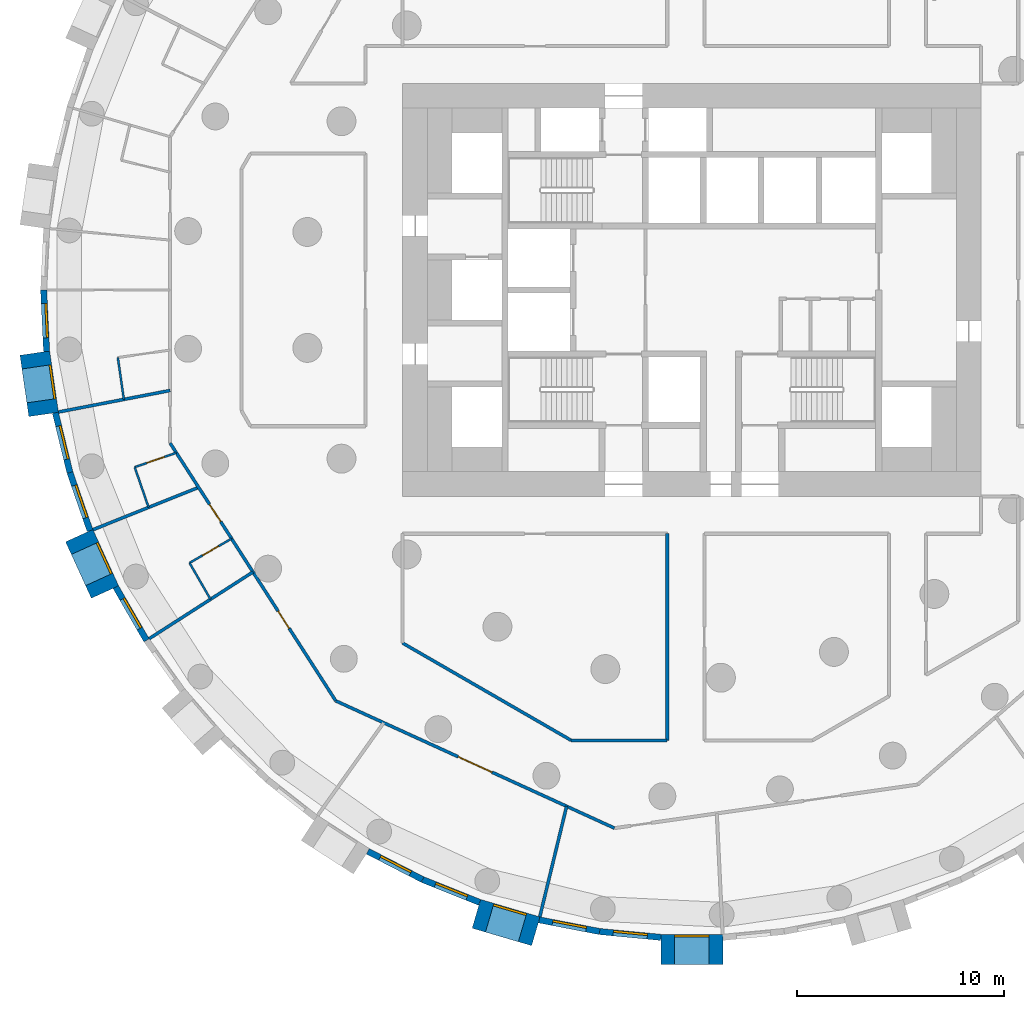
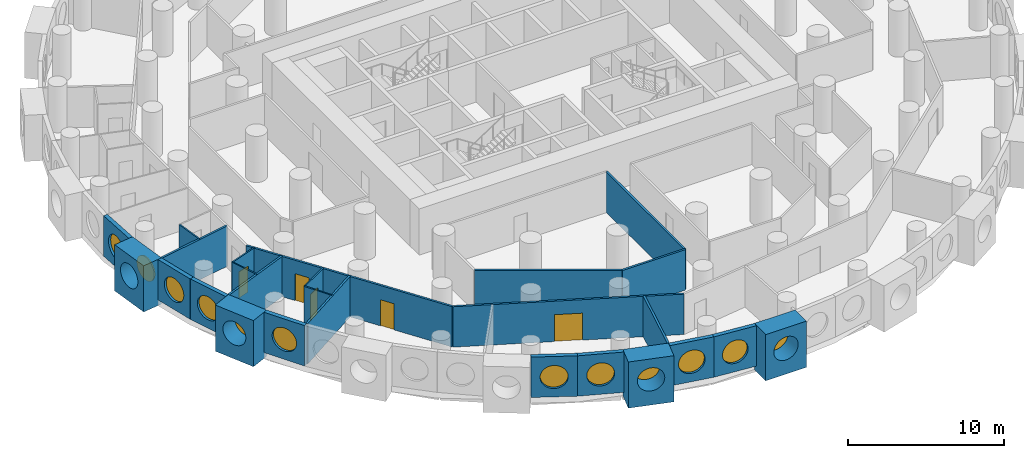
# One storey, part 3 of 12: 27 walls, 12 windows, 5 doors, 17 openings.
"""IFC4 building model written with IfcOpenShell, lengths in metres."""

from ifc_helpers import new_model, si_unit, direction, frame, frame_2d, origin, origin_2d, place, context, subcontext, project, spatial, rectangle, circle, extrude, material, layer, layer_set, type_object, element, fill, save


model = new_model("IFC4")

# Units and contexts
model_context = context("Model", 3, precision=1e-05, world=origin(), true_north=direction((0.0, 1.0)))
body_context = subcontext(model_context, "Body", "Model", "MODEL_VIEW")
ifc_project = project(units=[si_unit("LENGTHUNIT", "METRE"), si_unit("AREAUNIT", "SQUARE_METRE"), si_unit("VOLUMEUNIT", "CUBIC_METRE"), si_unit("PLANEANGLEUNIT", "RADIAN"), si_unit("MASSUNIT", "GRAM", prefix="KILO")], contexts=[model_context])

# Site, building, storey
site_placement = place(None, origin())
site = spatial("IfcSite", under=ifc_project, at=site_placement, CompositionType="ELEMENT")
building_placement = place(site_placement, origin())
building = spatial("IfcBuilding", under=site, at=building_placement, Name="Tracery Tower", CompositionType="ELEMENT")
storey_placement = place(building_placement, frame((0.0, 0.0, 107.39990234375)))
storey = spatial("IfcBuildingStorey", under=building, at=storey_placement, Name="L27", CompositionType="ELEMENT", Elevation=107.39990234375)

# Wall, opening, window
ifc_material_1 = material(Name="Precast concrete C50/60", Category="concrete")
ifc_layer_1 = layer(ifc_material_1, 1.449951171875)
ifc_layer_set_1 = layer_set([ifc_layer_1], Name="Deep-set bay unit 3000 x 3600, slab edge 450")
wall_type_1 = type_object("IfcWallType", Name="Deep-set bay unit 3000 x 3600, slab edge 450", PredefinedType="ELEMENTEDWALL", material=ifc_layer_set_1)
wall_1_placement = place(storey_placement, frame((-31.802490234375, -3.05712890625, -0.449951171875), z_axis=(0.0, 0.0, 1.0), x_axis=(0.142332746704, -0.989818866872, 0.0)))
wall_1 = element("IfcWall", 1, at=wall_1_placement, inside=storey, type_object=wall_type_1, Name="Deep-set bay unit 35 at L27", PredefinedType="ELEMENTEDWALL", context=body_context, shape_type="SweptSolid", body=[
    extrude(rectangle(XDim=3.0, YDim=1.449951171875, at=frame_2d((1.5, 0.0))), origin(), (0.0, 0.0, 1.0), 3.60009765625),
])
opening_1_placement = place(wall_1_placement, frame((1.5, 0.0, 2.0)))
opening_1 = element("IfcOpeningElement", 2, at=opening_1_placement, cuts=wall_1, Name="Opening WN1", PredefinedType="OPENING", context=body_context, shape_type="SweptSolid", body=[
    extrude(circle(Radius=0.9000244140625, at=origin_2d()), frame((0.0, 0.73486328125, 0.0), z_axis=(0.0, -1.0, 0.0), x_axis=(1.0, 0.0, 0.0)), (0.0, 0.0, 1.0), 1.469970703125),
])
ifc_material_2 = material(Name="Aluminium frame with tinted double glazing", Category="aluminium")
window_type = type_object("IfcWindowType", Name="Round window 1800", PartitioningType="SINGLE_PANEL", PredefinedType="WINDOW", material=ifc_material_2)
window_1_placement = place(opening_1_placement, origin())
window_1 = element("IfcWindow", 3, at=window_1_placement, inside=storey, type_object=window_type, Name="Round window 35 at L27", OverallHeight=1.800048828125, OverallWidth=1.800048828125, PartitioningType="SINGLE_PANEL", PredefinedType="WINDOW", context=body_context, shape_type="SweptSolid", body=[
    extrude(circle(Radius=0.9000244140625, at=origin_2d()), frame((0.0, 0.69482421875, 0.0), z_axis=(0.0, -1.0, 0.0), x_axis=(1.0, 0.0, 0.0)), (0.0, 0.0, 1.0), 0.10009765625),
])
fill(opening_1, window_1)

wall_2_placement = place(storey_placement, frame((-29.653076171875, -11.89306640625, -0.449951171875), z_axis=(0.0, 0.0, 1.0), x_axis=(0.415427028395, -0.909626508012, 0.0)))
wall_2 = element("IfcWall", 4, at=wall_2_placement, inside=storey, type_object=wall_type_1, Name="Deep-set bay unit 38 at L27", PredefinedType="ELEMENTEDWALL", context=body_context, shape_type="SweptSolid", body=[
    extrude(rectangle(XDim=3.000244140625, YDim=1.449951171875, at=frame_2d((1.5, 0.0))), origin(), (0.0, 0.0, 1.0), 3.60009765625),
])
opening_2_placement = place(wall_2_placement, frame((1.5, 0.0, 2.0)))
opening_2 = element("IfcOpeningElement", 5, at=opening_2_placement, cuts=wall_2, Name="Opening WN1", PredefinedType="OPENING", context=body_context, shape_type="SweptSolid", body=[
    extrude(circle(Radius=0.9000244140625, at=origin_2d()), frame((0.0, 0.73486328125, 0.0), z_axis=(0.0, -1.0, 0.0), x_axis=(1.0, 0.0, 0.0)), (0.0, 0.0, 1.0), 1.469970703125),
])
window_2_placement = place(opening_2_placement, origin())
window_2 = element("IfcWindow", 6, at=window_2_placement, inside=storey, type_object=window_type, Name="Round window 38 at L27", OverallHeight=1.800048828125, OverallWidth=1.800048828125, PartitioningType="SINGLE_PANEL", PredefinedType="WINDOW", context=body_context, shape_type="SweptSolid", body=[
    extrude(circle(Radius=0.9000244140625, at=origin_2d()), frame((0.0, 0.69482421875, 0.0), z_axis=(0.0, -1.0, 0.0), x_axis=(1.0, 0.0, 0.0)), (0.0, 0.0, 1.0), 0.10009765625),
])
fill(opening_2, window_2)

wall_3_placement = place(storey_placement, frame((-10.430419921875, -30.198486328125, -0.449951171875), z_axis=(0.0, 0.0, 1.0), x_axis=(0.959489813418, -0.281743319258, 0.0)))
wall_3 = element("IfcWall", 7, at=wall_3_placement, inside=storey, type_object=wall_type_1, Name="Deep-set bay unit 47 at L27", PredefinedType="ELEMENTEDWALL", context=body_context, shape_type="SweptSolid", body=[
    extrude(rectangle(XDim=3.0, YDim=1.449951171875, at=frame_2d((1.5, 0.0))), origin(), (0.0, 0.0, 1.0), 3.60009765625),
])
opening_3_placement = place(wall_3_placement, frame((1.5, 0.0, 2.0)))
opening_3 = element("IfcOpeningElement", 8, at=opening_3_placement, cuts=wall_3, Name="Opening WN1", PredefinedType="OPENING", context=body_context, shape_type="SweptSolid", body=[
    extrude(circle(Radius=0.9000244140625, at=origin_2d()), frame((0.0, 0.73486328125, 0.0), z_axis=(0.0, -1.0, 0.0), x_axis=(1.0, 0.0, 0.0)), (0.0, 0.0, 1.0), 1.469970703125),
])
window_3_placement = place(opening_3_placement, origin())
window_3 = element("IfcWindow", 9, at=window_3_placement, inside=storey, type_object=window_type, Name="Round window 47 at L27", OverallHeight=1.800048828125, OverallWidth=1.800048828125, PartitioningType="SINGLE_PANEL", PredefinedType="WINDOW", context=body_context, shape_type="SweptSolid", body=[
    extrude(circle(Radius=0.9000244140625, at=origin_2d()), frame((0.0, 0.69482421875, 0.0), z_axis=(0.0, -1.0, 0.0), x_axis=(1.0, 0.0, 0.0)), (0.0, 0.0, 1.0), 0.10009765625),
])
fill(opening_3, window_3)

wall_4_placement = place(storey_placement, frame((-1.5, -31.913818359375, -0.449951171875), z_axis=(0.0, 0.0, 1.0), x_axis=(1.0, 0.0, 0.0)))
wall_4 = element("IfcWall", 10, at=wall_4_placement, inside=storey, type_object=wall_type_1, Name="Deep-set bay unit 50 at L27", PredefinedType="ELEMENTEDWALL", context=body_context, shape_type="SweptSolid", body=[
    extrude(rectangle(XDim=3.0, YDim=1.449951171875, at=frame_2d((1.5, 0.0))), origin(), (0.0, 0.0, 1.0), 3.60009765625),
])
opening_4_placement = place(wall_4_placement, frame((1.5, 0.0, 2.0)))
opening_4 = element("IfcOpeningElement", 11, at=opening_4_placement, cuts=wall_4, Name="Opening WN1", PredefinedType="OPENING", context=body_context, shape_type="SweptSolid", body=[
    extrude(circle(Radius=0.9000244140625, at=origin_2d()), frame((0.0, 0.73486328125, 0.0), z_axis=(0.0, -1.0, 0.0), x_axis=(1.0, 0.0, 0.0)), (0.0, 0.0, 1.0), 1.469970703125),
])
window_4_placement = place(opening_4_placement, origin())
window_4 = element("IfcWindow", 12, at=window_4_placement, inside=storey, type_object=window_type, Name="Round window 50 at L27", OverallHeight=1.800048828125, OverallWidth=1.800048828125, PartitioningType="SINGLE_PANEL", PredefinedType="WINDOW", context=body_context, shape_type="SweptSolid", body=[
    extrude(circle(Radius=0.9000244140625, at=origin_2d()), frame((0.0, 0.69482421875, 0.0), z_axis=(0.0, -1.0, 0.0), x_axis=(1.0, 0.0, 0.0)), (0.0, 0.0, 1.0), 0.10009765625),
])
fill(opening_4, window_4)

ifc_material_3 = material(Name="Precast concrete C50/60", Category="concrete")
ifc_layer_2 = layer(ifc_material_3, 0.300048828125)
ifc_layer_set_2 = layer_set([ifc_layer_2], Name="Facade panel 3000 x 3150")
wall_type_2 = type_object("IfcWallType", Name="Facade panel 3000 x 3150", PredefinedType="SOLIDWALL", material=ifc_layer_set_2)
wall_5_placement = place(storey_placement, frame((-31.37451171875, 0.0, 0.0), z_axis=(0.0, 0.0, 1.0), x_axis=(0.047604077644, -0.998866283239, 0.0)))
wall_5 = element("IfcWall", 13, at=wall_5_placement, inside=storey, type_object=wall_type_2, Name="Facade panel 34 at L27", PredefinedType="SOLIDWALL", context=body_context, shape_type="SweptSolid", body=[
    extrude(rectangle(XDim=2.979736328125, YDim=0.300048828125, at=frame_2d((1.48974609375, 0.0))), origin(), (0.0, 0.0, 1.0), 3.150146484375),
])
opening_5_placement = place(wall_5_placement, frame((1.48974609375, 0.0, 1.5498046875)))
opening_5 = element("IfcOpeningElement", 14, at=opening_5_placement, cuts=wall_5, Name="Opening WN1", PredefinedType="OPENING", context=body_context, shape_type="SweptSolid", body=[
    extrude(circle(Radius=0.9000244140625, at=origin_2d()), frame((0.0, 0.159912109375, 0.0), z_axis=(0.0, -1.0, 0.0), x_axis=(1.0, 0.0, 0.0)), (0.0, 0.0, 1.0), 0.320068359375),
])
window_5_placement = place(opening_5_placement, origin())
window_5 = element("IfcWindow", 15, at=window_5_placement, inside=storey, type_object=window_type, Name="Round window 34 at L27", OverallHeight=1.800048828125, OverallWidth=1.800048828125, PartitioningType="SINGLE_PANEL", PredefinedType="WINDOW", context=body_context, shape_type="SweptSolid", body=[
    extrude(circle(Radius=0.9000244140625, at=origin_2d()), frame((0.0, 0.1201171875, 0.0), z_axis=(0.0, -1.0, 0.0), x_axis=(1.0, 0.0, 0.0)), (0.0, 0.0, 1.0), 0.10009765625),
])
fill(opening_5, window_5)

wall_6_placement = place(storey_placement, frame((-30.805908203125, -5.943603515625, 0.0), z_axis=(0.0, 0.0, 1.0), x_axis=(0.235743081534, -0.971815414319, 0.0)))
wall_6 = element("IfcWall", 16, at=wall_6_placement, inside=storey, type_object=wall_type_2, Name="Facade panel 36 at L27", PredefinedType="SOLIDWALL", context=body_context, shape_type="SweptSolid", body=[
    extrude(rectangle(XDim=2.9794921875, YDim=0.300048828125, at=frame_2d((1.48974609375, 0.0))), origin(), (0.0, 0.0, 1.0), 3.150146484375),
])
opening_6_placement = place(wall_6_placement, frame((1.48974609375, 0.0, 1.5498046875)))
opening_6 = element("IfcOpeningElement", 17, at=opening_6_placement, cuts=wall_6, Name="Opening WN1", PredefinedType="OPENING", context=body_context, shape_type="SweptSolid", body=[
    extrude(circle(Radius=0.9000244140625, at=origin_2d()), frame((0.0, 0.159912109375, 0.0), z_axis=(0.0, -1.0, 0.0), x_axis=(1.0, 0.0, 0.0)), (0.0, 0.0, 1.0), 0.320068359375),
])
window_6_placement = place(opening_6_placement, origin())
window_6 = element("IfcWindow", 18, at=window_6_placement, inside=storey, type_object=window_type, Name="Round window 36 at L27", OverallHeight=1.800048828125, OverallWidth=1.800048828125, PartitioningType="SINGLE_PANEL", PredefinedType="WINDOW", context=body_context, shape_type="SweptSolid", body=[
    extrude(circle(Radius=0.9000244140625, at=origin_2d()), frame((0.0, 0.1201171875, 0.0), z_axis=(0.0, -1.0, 0.0), x_axis=(1.0, 0.0, 0.0)), (0.0, 0.0, 1.0), 0.10009765625),
])
fill(opening_6, window_6)

wall_7_placement = place(storey_placement, frame((-30.103515625, -8.839111328125, 0.0), z_axis=(0.0, 0.0, 1.0), x_axis=(0.327071167136, -0.944999709856, 0.0)))
wall_7 = element("IfcWall", 19, at=wall_7_placement, inside=storey, type_object=wall_type_2, Name="Facade panel 37 at L27", PredefinedType="SOLIDWALL", context=body_context, shape_type="SweptSolid", body=[
    extrude(rectangle(XDim=2.979736328125, YDim=0.300048828125, at=frame_2d((1.48974609375, 0.0))), origin(), (0.0, 0.0, 1.0), 3.150146484375),
])
opening_7_placement = place(wall_7_placement, frame((1.48974609375, 0.0, 1.5498046875)))
opening_7 = element("IfcOpeningElement", 20, at=opening_7_placement, cuts=wall_7, Name="Opening WN1", PredefinedType="OPENING", context=body_context, shape_type="SweptSolid", body=[
    extrude(circle(Radius=0.9000244140625, at=origin_2d()), frame((0.0, 0.159912109375, 0.0), z_axis=(0.0, -1.0, 0.0), x_axis=(1.0, 0.0, 0.0)), (0.0, 0.0, 1.0), 0.320068359375),
])
window_7_placement = place(opening_7_placement, origin())
window_7 = element("IfcWindow", 21, at=window_7_placement, inside=storey, type_object=window_type, Name="Round window 37 at L27", OverallHeight=1.800048828125, OverallWidth=1.800048828125, PartitioningType="SINGLE_PANEL", PredefinedType="WINDOW", context=body_context, shape_type="SweptSolid", body=[
    extrude(circle(Radius=0.9000244140625, at=origin_2d()), frame((0.0, 0.1201171875, 0.0), z_axis=(0.0, -1.0, 0.0), x_axis=(1.0, 0.0, 0.0)), (0.0, 0.0, 1.0), 0.10009765625),
])
fill(opening_7, window_7)

wall_8_placement = place(storey_placement, frame((-27.8837890625, -14.3818359375, 0.0), z_axis=(0.0, 0.0, 1.0), x_axis=(0.500025049464, -0.866010940986, 0.0)))
wall_8 = element("IfcWall", 22, at=wall_8_placement, inside=storey, type_object=wall_type_2, Name="Facade panel 39 at L27", PredefinedType="SOLIDWALL", context=body_context, shape_type="SweptSolid", body=[
    extrude(rectangle(XDim=2.979736328125, YDim=0.300048828125, at=frame_2d((1.48974609375, 0.0))), origin(), (0.0, 0.0, 1.0), 3.150146484375),
])
opening_8_placement = place(wall_8_placement, frame((1.48974609375, 0.0, 1.5498046875)))
opening_8 = element("IfcOpeningElement", 23, at=opening_8_placement, cuts=wall_8, Name="Opening WN1", PredefinedType="OPENING", context=body_context, shape_type="SweptSolid", body=[
    extrude(circle(Radius=0.9000244140625, at=origin_2d()), frame((0.0, 0.159912109375, 0.0), z_axis=(0.0, -1.0, 0.0), x_axis=(1.0, 0.0, 0.0)), (0.0, 0.0, 1.0), 0.320068359375),
])
window_8_placement = place(opening_8_placement, origin())
window_8 = element("IfcWindow", 24, at=window_8_placement, inside=storey, type_object=window_type, Name="Round window 39 at L27", OverallHeight=1.800048828125, OverallWidth=1.800048828125, PartitioningType="SINGLE_PANEL", PredefinedType="WINDOW", context=body_context, shape_type="SweptSolid", body=[
    extrude(circle(Radius=0.9000244140625, at=origin_2d()), frame((0.0, 0.1201171875, 0.0), z_axis=(0.0, -1.0, 0.0), x_axis=(1.0, 0.0, 0.0)), (0.0, 0.0, 1.0), 0.10009765625),
])
fill(opening_8, window_8)

wall_9_placement = place(storey_placement, frame((-15.681884765625, -27.173828125, 0.0), z_axis=(0.0, 0.0, 1.0), x_axis=(0.888819853856, -0.458256770153, 0.0)))
wall_9 = element("IfcWall", 25, at=wall_9_placement, inside=storey, type_object=wall_type_2, Name="Facade panel 45 at L27", PredefinedType="SOLIDWALL", context=body_context, shape_type="SweptSolid", body=[
    extrude(rectangle(XDim=2.979736328125, YDim=0.300048828125, at=frame_2d((1.48974609375, 0.0))), origin(), (0.0, 0.0, 1.0), 3.150146484375),
])
opening_9_placement = place(wall_9_placement, frame((1.48974609375, 0.0, 1.5498046875)))
opening_9 = element("IfcOpeningElement", 26, at=opening_9_placement, cuts=wall_9, Name="Opening WN1", PredefinedType="OPENING", context=body_context, shape_type="SweptSolid", body=[
    extrude(circle(Radius=0.9000244140625, at=origin_2d()), frame((0.0, 0.159912109375, 0.0), z_axis=(0.0, -1.0, 0.0), x_axis=(1.0, 0.0, 0.0)), (0.0, 0.0, 1.0), 0.320068359375),
])
window_9_placement = place(opening_9_placement, origin())
window_9 = element("IfcWindow", 27, at=window_9_placement, inside=storey, type_object=window_type, Name="Round window 45 at L27", OverallHeight=1.800048828125, OverallWidth=1.800048828125, PartitioningType="SINGLE_PANEL", PredefinedType="WINDOW", context=body_context, shape_type="SweptSolid", body=[
    extrude(circle(Radius=0.9000244140625, at=origin_2d()), frame((0.0, 0.1201171875, 0.0), z_axis=(0.0, -1.0, 0.0), x_axis=(1.0, 0.0, 0.0)), (0.0, 0.0, 1.0), 0.10009765625),
])
fill(opening_9, window_9)

wall_10_placement = place(storey_placement, frame((-13.033447265625, -28.539306640625, 0.0), z_axis=(0.0, 0.0, 1.0), x_axis=(0.928403213937, -0.371574316054, 0.0)))
wall_10 = element("IfcWall", 28, at=wall_10_placement, inside=storey, type_object=wall_type_2, Name="Facade panel 46 at L27", PredefinedType="SOLIDWALL", context=body_context, shape_type="SweptSolid", body=[
    extrude(rectangle(XDim=2.979736328125, YDim=0.300048828125, at=frame_2d((1.48974609375, 0.0))), origin(), (0.0, 0.0, 1.0), 3.150146484375),
])
opening_10_placement = place(wall_10_placement, frame((1.48974609375, 0.0, 1.5498046875)))
opening_10 = element("IfcOpeningElement", 29, at=opening_10_placement, cuts=wall_10, Name="Opening WN1", PredefinedType="OPENING", context=body_context, shape_type="SweptSolid", body=[
    extrude(circle(Radius=0.9000244140625, at=origin_2d()), frame((0.0, 0.159912109375, 0.0), z_axis=(0.0, -1.0, 0.0), x_axis=(1.0, 0.0, 0.0)), (0.0, 0.0, 1.0), 0.320068359375),
])
window_10_placement = place(opening_10_placement, origin())
window_10 = element("IfcWindow", 30, at=window_10_placement, inside=storey, type_object=window_type, Name="Round window 46 at L27", OverallHeight=1.800048828125, OverallWidth=1.800048828125, PartitioningType="SINGLE_PANEL", PredefinedType="WINDOW", context=body_context, shape_type="SweptSolid", body=[
    extrude(circle(Radius=0.9000244140625, at=origin_2d()), frame((0.0, 0.1201171875, 0.0), z_axis=(0.0, -1.0, 0.0), x_axis=(1.0, 0.0, 0.0)), (0.0, 0.0, 1.0), 0.10009765625),
])
fill(opening_10, window_10)

wall_11_placement = place(storey_placement, frame((-7.390869140625, -30.4912109375, 0.0), z_axis=(0.0, 0.0, 1.0), x_axis=(0.981924535406, -0.189272836848, 0.0)))
wall_11 = element("IfcWall", 31, at=wall_11_placement, inside=storey, type_object=wall_type_2, Name="Facade panel 48 at L27", PredefinedType="SOLIDWALL", context=body_context, shape_type="SweptSolid", body=[
    extrude(rectangle(XDim=2.979736328125, YDim=0.300048828125, at=frame_2d((1.48974609375, 0.0))), origin(), (0.0, 0.0, 1.0), 3.150146484375),
])
opening_11_placement = place(wall_11_placement, frame((1.48974609375, 0.0, 1.5498046875)))
opening_11 = element("IfcOpeningElement", 32, at=opening_11_placement, cuts=wall_11, Name="Opening WN1", PredefinedType="OPENING", context=body_context, shape_type="SweptSolid", body=[
    extrude(circle(Radius=0.9000244140625, at=origin_2d()), frame((0.0, 0.159912109375, 0.0), z_axis=(0.0, -1.0, 0.0), x_axis=(1.0, 0.0, 0.0)), (0.0, 0.0, 1.0), 0.320068359375),
])
window_11_placement = place(opening_11_placement, origin())
window_11 = element("IfcWindow", 33, at=window_11_placement, inside=storey, type_object=window_type, Name="Round window 48 at L27", OverallHeight=1.800048828125, OverallWidth=1.800048828125, PartitioningType="SINGLE_PANEL", PredefinedType="WINDOW", context=body_context, shape_type="SweptSolid", body=[
    extrude(circle(Radius=0.9000244140625, at=origin_2d()), frame((0.0, 0.1201171875, 0.0), z_axis=(0.0, -1.0, 0.0), x_axis=(1.0, 0.0, 0.0)), (0.0, 0.0, 1.0), 0.10009765625),
])
fill(opening_11, window_11)

wall_12_placement = place(storey_placement, frame((-4.465087890625, -31.05517578125, 0.0), z_axis=(0.0, 0.0, 1.0), x_axis=(0.995473351551, -0.095041077185, 0.0)))
wall_12 = element("IfcWall", 34, at=wall_12_placement, inside=storey, type_object=wall_type_2, Name="Facade panel 49 at L27", PredefinedType="SOLIDWALL", context=body_context, shape_type="SweptSolid", body=[
    extrude(rectangle(XDim=2.979736328125, YDim=0.300048828125, at=frame_2d((1.48974609375, 0.0))), origin(), (0.0, 0.0, 1.0), 3.150146484375),
])
opening_12_placement = place(wall_12_placement, frame((1.48974609375, 0.0, 1.5498046875)))
opening_12 = element("IfcOpeningElement", 35, at=opening_12_placement, cuts=wall_12, Name="Opening WN1", PredefinedType="OPENING", context=body_context, shape_type="SweptSolid", body=[
    extrude(circle(Radius=0.9000244140625, at=origin_2d()), frame((0.0, 0.159912109375, 0.0), z_axis=(0.0, -1.0, 0.0), x_axis=(1.0, 0.0, 0.0)), (0.0, 0.0, 1.0), 0.320068359375),
])
window_12_placement = place(opening_12_placement, origin())
window_12 = element("IfcWindow", 36, at=window_12_placement, inside=storey, type_object=window_type, Name="Round window 49 at L27", OverallHeight=1.800048828125, OverallWidth=1.800048828125, PartitioningType="SINGLE_PANEL", PredefinedType="WINDOW", context=body_context, shape_type="SweptSolid", body=[
    extrude(circle(Radius=0.9000244140625, at=origin_2d()), frame((0.0, 0.1201171875, 0.0), z_axis=(0.0, -1.0, 0.0), x_axis=(1.0, 0.0, 0.0)), (0.0, 0.0, 1.0), 0.10009765625),
])
fill(opening_12, window_12)

# Wall
ifc_material_4 = material(Name="Plasterboard on steel studs", Category="steel")
ifc_layer_3 = layer(ifc_material_4, 0.10009765625)
ifc_layer_set_3 = layer_set([ifc_layer_3], Name="Partition 100 wet wall")
wall_type_3 = type_object("IfcWallType", Name="Partition 100 wet wall", PredefinedType="PARTITIONING", material=ifc_layer_set_3)
wall_13_placement = place(storey_placement, frame((-27.784912109375, -3.27294921875, 0.0), z_axis=(0.0, 0.0, 1.0), x_axis=(0.142640130423, -0.989774617372, 0.0)))
element("IfcWall", 37, at=wall_13_placement, inside=storey, type_object=wall_type_3, Name="Wet wall RA8-104", PredefinedType="PARTITIONING", context=body_context, shape_type="SweptSolid", body=[
    extrude(rectangle(XDim=2.047119140625, YDim=0.10009765625, at=frame_2d((1.0234375, 0.0))), origin(), (0.0, 0.0, 1.0), 3.150146484375),
])

# Wall, opening, door
wall_14_placement = place(storey_placement, frame((-26.968994140625, -8.577880859375, 0.0), z_axis=(0.0, 0.0, 1.0), x_axis=(0.945146525342, 0.326646667877, 0.0)))
wall_14 = element("IfcWall", 38, at=wall_14_placement, inside=storey, type_object=wall_type_3, Name="Wet wall RA8-106", PredefinedType="PARTITIONING", context=body_context, shape_type="SweptSolid", body=[
    extrude(rectangle(XDim=2.133056640625, YDim=0.10009765625, at=frame_2d((1.06640625, 0.0))), origin(), (0.0, 0.0, 1.0), 3.150146484375),
])
opening_13_placement = place(wall_14_placement, frame((0.6162109375, 0.0, 0.0)))
opening_13 = element("IfcOpeningElement", 39, at=opening_13_placement, cuts=wall_14, Name="Opening RA8-40", PredefinedType="OPENING", context=body_context, shape_type="SweptSolid", body=[
    extrude(rectangle(XDim=0.89990234375, YDim=2.0400390625, at=frame_2d((0.449951171875, 1.02001953125))), frame((0.0, 0.050048828125, 0.0), z_axis=(0.0, -1.0, 0.0), x_axis=(1.0, 0.0, 0.0)), (0.0, 0.0, 1.0), 0.10009765625),
])
ifc_material_5 = material(Name="Timber door leaf", Category="wood")
door_type_1 = type_object("IfcDoorType", Name="Door en-suite 900", OperationType="NOTDEFINED", PredefinedType="DOOR", material=ifc_material_5)
door_1_placement = place(opening_13_placement, origin())
door_1 = element("IfcDoor", 40, at=door_1_placement, inside=storey, type_object=door_type_1, Name="En-suite door RA8-40", OperationType="SINGLE_SWING_RIGHT", OverallHeight=2.0400390625, OverallWidth=0.89990234375, PredefinedType="DOOR", context=body_context, shape_type="SweptSolid", body=[
    extrude(rectangle(XDim=0.89990234375, YDim=2.0400390625, at=frame_2d((0.449951171875, 1.02001953125))), frame((0.0, 0.02490234375, 0.0), z_axis=(0.0, -1.0, 0.0), x_axis=(1.0, 0.0, 0.0)), (0.0, 0.0, 1.0), 0.050048828125),
])
fill(opening_13, door_1)

# Wall
wall_15_placement = place(storey_placement, frame((-26.968994140625, -8.577880859375, 0.0), z_axis=(0.0, 0.0, 1.0), x_axis=(0.326825955114, -0.945084543871, 0.0)))
element("IfcWall", 41, at=wall_15_placement, inside=storey, type_object=wall_type_3, Name="Wet wall RA8-107", PredefinedType="PARTITIONING", context=body_context, shape_type="SweptSolid", body=[
    extrude(rectangle(XDim=2.0625, YDim=0.10009765625, at=frame_2d((1.03125, 0.0))), origin(), (0.0, 0.0, 1.0), 3.150146484375),
])

# Wall, opening, door
wall_16_placement = place(storey_placement, frame((-24.31396484375, -13.212890625, 0.0), z_axis=(0.0, 0.0, 1.0), x_axis=(0.866007195875, 0.500031535699, 0.0)))
wall_16 = element("IfcWall", 42, at=wall_16_placement, inside=storey, type_object=wall_type_3, Name="Wet wall RA8-109", PredefinedType="PARTITIONING", context=body_context, shape_type="SweptSolid", body=[
    extrude(rectangle(XDim=2.347412109375, YDim=0.10009765625, at=frame_2d((1.173828125, 0.0))), origin(), (0.0, 0.0, 1.0), 3.150146484375),
])
opening_14_placement = place(wall_16_placement, frame((0.7236328125, 0.0, 0.0)))
opening_14 = element("IfcOpeningElement", 43, at=opening_14_placement, cuts=wall_16, Name="Opening RA8-42", PredefinedType="OPENING", context=body_context, shape_type="SweptSolid", body=[
    extrude(rectangle(XDim=0.89990234375, YDim=2.0400390625, at=frame_2d((0.449951171875, 1.02001953125))), frame((0.0, 0.050048828125, 0.0), z_axis=(0.0, -1.0, 0.0), x_axis=(1.0, 0.0, 0.0)), (0.0, 0.0, 1.0), 0.10009765625),
])
door_2_placement = place(opening_14_placement, origin())
door_2 = element("IfcDoor", 44, at=door_2_placement, inside=storey, type_object=door_type_1, Name="En-suite door RA8-42", OperationType="SINGLE_SWING_RIGHT", OverallHeight=2.0400390625, OverallWidth=0.89990234375, PredefinedType="DOOR", context=body_context, shape_type="SweptSolid", body=[
    extrude(rectangle(XDim=0.89990234375, YDim=2.0400390625, at=frame_2d((0.449951171875, 1.02001953125))), frame((0.0, 0.02490234375, 0.0), z_axis=(0.0, -1.0, 0.0), x_axis=(1.0, 0.0, 0.0)), (0.0, 0.0, 1.0), 0.050048828125),
])
fill(opening_14, door_2)

# Walls
wall_17_placement = place(storey_placement, frame((-24.31396484375, -13.212890625, 0.0), z_axis=(0.0, 0.0, 1.0), x_axis=(0.499899251727, -0.866083563014, 0.0)))
element("IfcWall", 45, at=wall_17_placement, inside=storey, type_object=wall_type_3, Name="Wet wall RA8-110", PredefinedType="PARTITIONING", context=body_context, shape_type="SweptSolid", body=[
    extrude(rectangle(XDim=2.0322265625, YDim=0.10009765625, at=frame_2d((1.01611328125, 0.0))), origin(), (0.0, 0.0, 1.0), 3.150146484375),
])
ifc_material_6 = material(Name="Plasterboard on steel studs", Category="steel")
ifc_layer_4 = layer(ifc_material_6, 0.14990234375)
ifc_layer_set_4 = layer_set([ifc_layer_4], Name="Partition 150 acoustic unit wall")
wall_type_4 = type_object("IfcWallType", Name="Partition 150 acoustic unit wall", PredefinedType="PARTITIONING", material=ifc_layer_set_4)
wall_18_placement = place(storey_placement, frame((-30.659912109375, -5.908935546875, 0.0), z_axis=(0.0, 0.0, 1.0), x_axis=(0.981949161207, 0.189145036425, 0.0)))
element("IfcWall", 46, at=wall_18_placement, inside=storey, type_object=wall_type_4, Name="Unit wall RA8-105", PredefinedType="PARTITIONING", context=body_context, shape_type="SweptSolid", body=[
    extrude(rectangle(XDim=5.50634765625, YDim=0.14990234375, at=frame_2d((2.753173828125, 0.0))), origin(), (0.0, 0.0, 1.0), 3.150146484375),
])
wall_19_placement = place(storey_placement, frame((-28.988037109375, -11.60498046875, 0.0), z_axis=(0.0, 0.0, 1.0), x_axis=(0.928372711727, 0.371650518795, 0.0)))
element("IfcWall", 47, at=wall_19_placement, inside=storey, type_object=wall_type_4, Name="Unit wall RA8-108", PredefinedType="PARTITIONING", context=body_context, shape_type="SweptSolid", body=[
    extrude(rectangle(XDim=5.507568359375, YDim=0.14990234375, at=frame_2d((2.75390625, 0.0))), origin(), (0.0, 0.0, 1.0), 3.150146484375),
])
wall_20_placement = place(storey_placement, frame((-26.26806640625, -16.881103515625, 0.0), z_axis=(0.0, 0.0, 1.0), x_axis=(0.841333855553, 0.540515812443, 0.0)))
element("IfcWall", 48, at=wall_20_placement, inside=storey, type_object=wall_type_4, Name="Unit wall RA8-111", PredefinedType="PARTITIONING", context=body_context, shape_type="SweptSolid", body=[
    extrude(rectangle(XDim=5.9716796875, YDim=0.14990234375, at=frame_2d((2.98583984375, 0.0))), origin(), (0.0, 0.0, 1.0), 3.150146484375),
])
wall_21_placement = place(storey_placement, frame((-7.361083984375, -30.343994140625, 0.0), z_axis=(0.0, 0.0, 1.0), x_axis=(0.235707871895, 0.971823954802, 0.0)))
element("IfcWall", 49, at=wall_21_placement, inside=storey, type_object=wall_type_4, Name="Unit wall RA8-113", PredefinedType="PARTITIONING", context=body_context, shape_type="SweptSolid", body=[
    extrude(rectangle(XDim=5.50732421875, YDim=0.14990234375, at=frame_2d((2.753662109375, 0.0))), origin(), (0.0, 0.0, 1.0), 3.150146484375),
])

# Wall, opening, door
ifc_material_7 = material(Name="Plasterboard on steel studs", Category="steel")
ifc_layer_5 = layer(ifc_material_7, 0.14990234375)
ifc_layer_set_5 = layer_set([ifc_layer_5], Name="Partition 150 corridor wall")
wall_type_5 = type_object("IfcWallType", Name="Partition 150 corridor wall", PredefinedType="PARTITIONING", material=ifc_layer_set_5)
wall_22_placement = place(storey_placement, frame((-25.2529296875, -7.4150390625, 0.0), z_axis=(0.0, 0.0, 1.0), x_axis=(0.541385585623, -0.840774433293, 0.0)))
wall_22 = element("IfcWall", 50, at=wall_22_placement, inside=storey, type_object=wall_type_5, Name="Corridor wall RA8-046", PredefinedType="PARTITIONING", context=body_context, shape_type="SweptSolid", body=[
    extrude(rectangle(XDim=5.500244140625, YDim=0.14990234375, at=frame_2d((2.75, 0.0))), origin(), (0.0, 0.0, 1.0), 3.150146484375),
])
opening_15_placement = place(wall_22_placement, frame((3.522216796875, 0.0, 0.0)))
opening_15 = element("IfcOpeningElement", 51, at=opening_15_placement, cuts=wall_22, Name="Opening RA8-43", PredefinedType="OPENING", context=body_context, shape_type="SweptSolid", body=[
    extrude(rectangle(XDim=1.0, YDim=2.10009765625, at=frame_2d((0.5, 1.050048828125))), frame((0.0, 0.074951171875, 0.0), z_axis=(0.0, -1.0, 0.0), x_axis=(1.0, 0.0, 0.0)), (0.0, 0.0, 1.0), 0.14990234375),
])
ifc_material_8 = material(Name="Timber door leaf", Category="wood")
door_type_2 = type_object("IfcDoorType", Name="Door unit entrance 1000", OperationType="NOTDEFINED", PredefinedType="DOOR", material=ifc_material_8)
door_3_placement = place(opening_15_placement, origin())
door_3 = element("IfcDoor", 52, at=door_3_placement, inside=storey, type_object=door_type_2, Name="Unit entrance door RA8-43", OperationType="SINGLE_SWING_LEFT", OverallHeight=2.10009765625, OverallWidth=1.0, PredefinedType="DOOR", context=body_context, shape_type="SweptSolid", body=[
    extrude(rectangle(XDim=1.0, YDim=2.10009765625, at=frame_2d((0.5, 1.050048828125))), frame((0.0, 0.02490234375, 0.0), z_axis=(0.0, -1.0, 0.0), x_axis=(1.0, 0.0, 0.0)), (0.0, 0.0, 1.0), 0.050048828125),
])
fill(opening_15, door_3)

wall_23_placement = place(storey_placement, frame((-22.282958984375, -12.035888671875, 0.0), z_axis=(0.0, 0.0, 1.0), x_axis=(0.540591053907, -0.841285511842, 0.0)))
wall_23 = element("IfcWall", 53, at=wall_23_placement, inside=storey, type_object=wall_type_5, Name="Corridor wall RA8-047", PredefinedType="PARTITIONING", context=body_context, shape_type="SweptSolid", body=[
    extrude(rectangle(XDim=9.336181640625, YDim=0.14990234375, at=frame_2d((4.66796875, 0.0))), origin(), (0.0, 0.0, 1.0), 3.150146484375),
])
opening_16_placement = place(wall_23_placement, frame((4.167236328125, 0.0, 0.0)))
opening_16 = element("IfcOpeningElement", 54, at=opening_16_placement, cuts=wall_23, Name="Opening RA8-44", PredefinedType="OPENING", context=body_context, shape_type="SweptSolid", body=[
    extrude(rectangle(XDim=1.0, YDim=2.0400390625, at=frame_2d((0.5, 1.02001953125))), frame((0.0, 0.074951171875, 0.0), z_axis=(0.0, -1.0, 0.0), x_axis=(1.0, 0.0, 0.0)), (0.0, 0.0, 1.0), 0.14990234375),
])
ifc_material_9 = material(Name="Timber door leaf", Category="wood")
door_type_3 = type_object("IfcDoorType", Name="Door communal room 1000", OperationType="NOTDEFINED", PredefinedType="DOOR", material=ifc_material_9)
door_4_placement = place(opening_16_placement, origin())
door_4 = element("IfcDoor", 55, at=door_4_placement, inside=storey, type_object=door_type_3, Name="Communal room door RA8-44", OperationType="SINGLE_SWING_LEFT", OverallHeight=2.0400390625, OverallWidth=1.0, PredefinedType="DOOR", context=body_context, shape_type="SweptSolid", body=[
    extrude(rectangle(XDim=1.0, YDim=2.0400390625, at=frame_2d((0.5, 1.02001953125))), frame((0.0, 0.02490234375, 0.0), z_axis=(0.0, -1.0, 0.0), x_axis=(1.0, 0.0, 0.0)), (0.0, 0.0, 1.0), 0.050048828125),
])
fill(opening_16, door_4)

# Walls
wall_24_placement = place(storey_placement, frame((-14.0, -17.092041015625, 0.0), z_axis=(0.0, 0.0, 1.0), x_axis=(0.86602719091, -0.499996904595, 0.0)))
element("IfcWall", 56, at=wall_24_placement, inside=storey, type_object=wall_type_5, Name="Corridor wall RA8-048", PredefinedType="PARTITIONING", context=body_context, shape_type="SweptSolid", body=[
    extrude(rectangle(XDim=9.419921875, YDim=0.14990234375, at=frame_2d((4.7099609375, 0.0))), origin(), (0.0, 0.0, 1.0), 3.150146484375),
])
wall_25_placement = place(storey_placement, frame((-5.842041015625, -21.802001953125, 0.0), z_axis=(0.0, 0.0, 1.0), x_axis=(1.0, 0.0, 0.0)))
element("IfcWall", 57, at=wall_25_placement, inside=storey, type_object=wall_type_5, Name="Corridor wall RA8-049", PredefinedType="PARTITIONING", context=body_context, shape_type="SweptSolid", body=[
    extrude(rectangle(XDim=4.650146484375, YDim=0.14990234375, at=frame_2d((2.3251953125, 0.0))), origin(), (0.0, 0.0, 1.0), 3.150146484375),
])
wall_26_placement = place(storey_placement, frame((-1.19189453125, -21.802001953125, 0.0), z_axis=(0.0, 0.0, 1.0), x_axis=(0.0, 1.0, 0.0)))
element("IfcWall", 58, at=wall_26_placement, inside=storey, type_object=wall_type_5, Name="Corridor wall RA8-050", PredefinedType="PARTITIONING", context=body_context, shape_type="SweptSolid", body=[
    extrude(rectangle(XDim=10.001953125, YDim=0.14990234375, at=frame_2d((5.0009765625, 0.0))), origin(), (0.0, 0.0, 1.0), 3.150146484375),
])

# Wall, opening, door
wall_27_placement = place(storey_placement, frame((-17.235107421875, -19.889892578125, 0.0), z_axis=(0.0, 0.0, 1.0), x_axis=(0.909624174921, -0.415432136936, 0.0)))
wall_27 = element("IfcWall", 59, at=wall_27_placement, inside=storey, type_object=wall_type_5, Name="Corridor wall RA8-057", PredefinedType="PARTITIONING", context=body_context, shape_type="SweptSolid", body=[
    extrude(rectangle(XDim=14.82958984375, YDim=0.14990234375, at=frame_2d((7.414794921875, 0.0))), origin(), (0.0, 0.0, 1.0), 3.150146484375),
])
opening_17_placement = place(wall_27_placement, frame((6.515380859375, 0.0, 0.0)))
opening_17 = element("IfcOpeningElement", 60, at=opening_17_placement, cuts=wall_27, Name="Opening RA8-45", PredefinedType="OPENING", context=body_context, shape_type="SweptSolid", body=[
    extrude(rectangle(XDim=1.800048828125, YDim=2.10009765625, at=frame_2d((0.89990234375, 1.050048828125))), frame((0.0, 0.074951171875, 0.0), z_axis=(0.0, -1.0, 0.0), x_axis=(1.0, 0.0, 0.0)), (0.0, 0.0, 1.0), 0.14990234375),
])
ifc_material_10 = material(Name="Timber door leaf", Category="wood")
door_type_4 = type_object("IfcDoorType", Name="Door double lounge 1800", OperationType="NOTDEFINED", PredefinedType="DOOR", material=ifc_material_10)
door_5_placement = place(opening_17_placement, origin())
door_5 = element("IfcDoor", 61, at=door_5_placement, inside=storey, type_object=door_type_4, Name="Double lounge door RA8-45", OperationType="DOUBLE_DOOR_SINGLE_SWING", OverallHeight=2.10009765625, OverallWidth=1.800048828125, PredefinedType="DOOR", context=body_context, shape_type="SweptSolid", body=[
    extrude(rectangle(XDim=1.800048828125, YDim=2.10009765625, at=frame_2d((0.89990234375, 1.050048828125))), frame((0.0, 0.02490234375, 0.0), z_axis=(0.0, -1.0, 0.0), x_axis=(1.0, 0.0, 0.0)), (0.0, 0.0, 1.0), 0.050048828125),
])
fill(opening_17, door_5)

save(model, "model.ifc")
